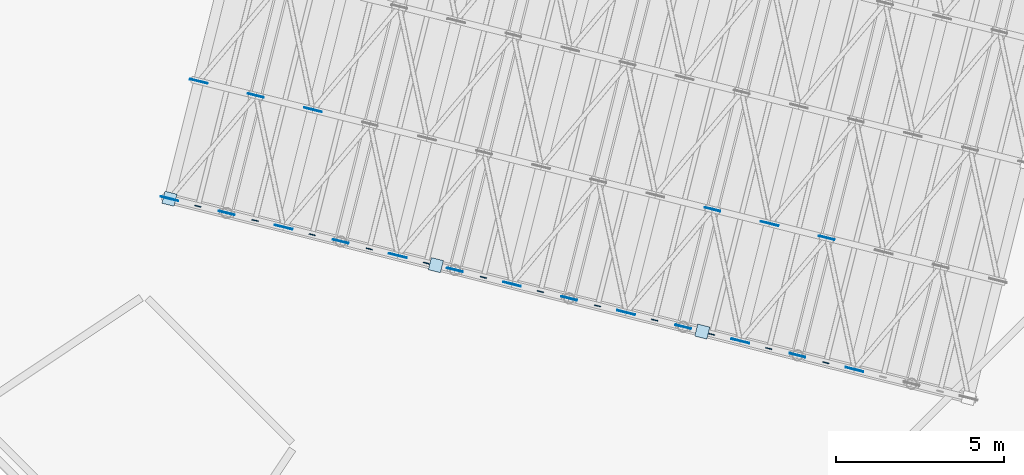
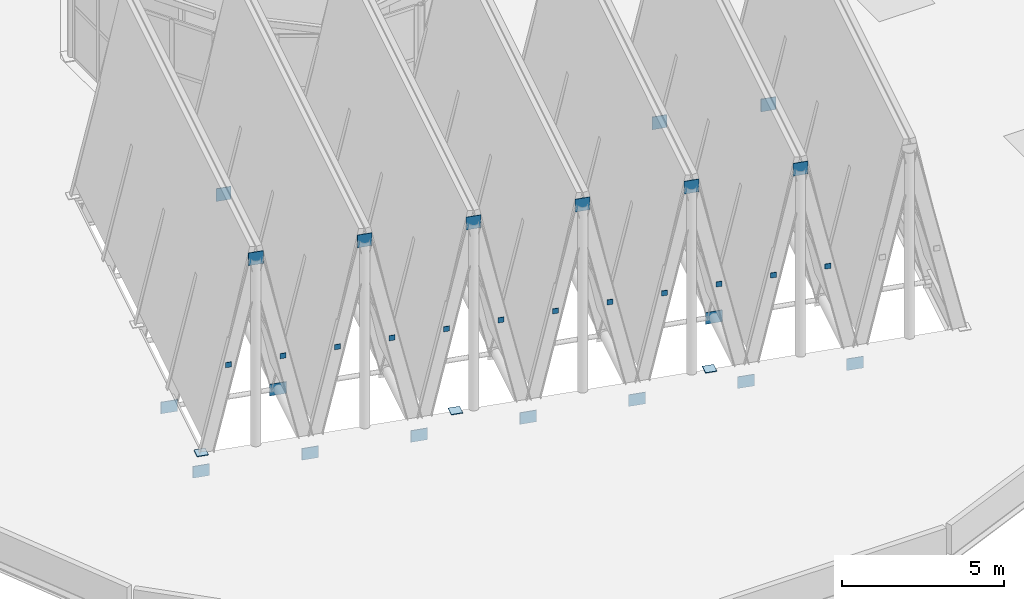
# One storey, part 27 of 51: 34 plates.
"""IFC4 building model written with IfcOpenShell, lengths in metres."""

from ifc_helpers import new_model, si_unit, direction, frame, origin, origin_2d, place, context, subcontext, project, spatial, rectangle, extrude, material, layer, layer_set, type_object, element, save


model = new_model("IFC4")

# Units and contexts
model_context = context("Model", 3, precision=1e-05, world=origin(), true_north=direction((0.0, 1.0)))
body_context = subcontext(model_context, "Body", "Model", "MODEL_VIEW")
ifc_project = project(units=[si_unit("LENGTHUNIT", "METRE"), si_unit("AREAUNIT", "SQUARE_METRE"), si_unit("VOLUMEUNIT", "CUBIC_METRE"), si_unit("PLANEANGLEUNIT", "RADIAN"), si_unit("MASSUNIT", "GRAM", prefix="KILO")], contexts=[model_context])

# Site, building, storey
site_placement = place(None, origin())
site = spatial("IfcSite", under=ifc_project, at=site_placement, CompositionType="ELEMENT")
building_placement = place(site_placement, origin())
building = spatial("IfcBuilding", under=site, at=building_placement, Name="Wrenclough Park School", CompositionType="ELEMENT")
storey_placement = place(building_placement, frame((0.0, 0.0, 16.800048828125)))
storey = spatial("IfcBuildingStorey", under=building, at=storey_placement, Name="L04", CompositionType="ELEMENT", Elevation=16.800048828125)

# Plates
ifc_material = material(Name="Structural steel S355", Category="steel")
ifc_layer_1 = layer(ifc_material, 0.18994140625)
ifc_layer_set_1 = layer_set([ifc_layer_1], Name="Structural steel S355")
plate_type_1 = type_object("IfcPlateType", Name="STR-PL-EP150", PredefinedType="SHEET", material=ifc_layer_set_1)
for number, where, z_axis, x_axis, name in (
    (1, (143.618408203125, 20.155029296875, 3.066162109375), (0.0, 0.0, 1.0), (0.2419218956, 0.970295726276, 0.0), "D1 purlin 1L S welded sealing end-cap plate"),
    (2, (145.31640625, 19.731689453125, 3.066162109375), (0.0, 0.0, 1.0), (0.2419218956, 0.970295726276, 0.0), "D1 purlin 1R S welded sealing end-cap plate"),
    (3, (147.014404296875, 19.308349609375, 3.066162109375), (0.0, 0.0, 1.0), (0.2419218956, 0.970295726276, 0.0), "D1 purlin 2L S welded sealing end-cap plate"),
    (4, (148.71240234375, 18.885009765625, 3.066162109375), (0.0, 0.0, 1.0), (0.2419218956, 0.970295726276, 0.0), "D1 purlin 2R S welded sealing end-cap plate"),
    (5, (150.410400390625, 18.461669921875, 3.066162109375), (0.0, 0.0, 1.0), (0.2419218956, 0.970295726276, 0.0), "D1 purlin 3L S welded sealing end-cap plate"),
    (6, (152.1083984375, 18.0380859375, 3.066162109375), (0.0, 0.0, 1.0), (0.2419218956, 0.970295726276, 0.0), "D1 purlin 3R S welded sealing end-cap plate"),
    (7, (153.806396484375, 17.614990234375, 3.066162109375), (0.0, 0.0, 1.0), (0.2419218956, 0.970295726276, 0.0), "D1 purlin 4L S welded sealing end-cap plate"),
    (8, (155.50439453125, 17.19140625, 3.066162109375), (0.0, 0.0, 1.0), (0.2419218956, 0.970295726276, 0.0), "D1 purlin 4R S welded sealing end-cap plate"),
    (9, (157.202392578125, 16.76806640625, 3.066162109375), (0.0, 0.0, 1.0), (0.2419218956, 0.970295726276, 0.0), "D1 purlin 5L S welded sealing end-cap plate"),
    (10, (158.900390625, 16.3447265625, 3.066162109375), (0.0, 0.0, 1.0), (0.2419218956, 0.970295726276, 0.0), "D1 purlin 5R S welded sealing end-cap plate"),
    (11, (160.598388671875, 15.92138671875, 3.066162109375), (0.0, 0.0, 1.0), (0.2419218956, 0.970295726276, 0.0), "D1 purlin 6L S welded sealing end-cap plate"),
    (12, (162.29638671875, 15.498046875, 3.066162109375), (0.0, 0.0, 1.0), (0.2419218956, 0.970295726276, 0.0), "D1 purlin 6R S welded sealing end-cap plate"),
):
    element("IfcPlate", number, at=place(storey_placement, frame(where, z_axis=z_axis, x_axis=x_axis)), inside=storey, type_object=plate_type_1, Name=name, PredefinedType="SHEET", context=body_context, shape_type="SweptSolid", body=[
        extrude(rectangle(XDim=0.02197265625, YDim=0.18994140625, at=origin_2d()), origin(), (0.0, 0.0, 1.0), 0.18994140625),
    ])
ifc_layer_2 = layer(ifc_material, 0.02197265625)
ifc_layer_set_2 = layer_set([ifc_layer_2], Name="Structural steel S355")
plate_type_2 = type_object("IfcPlateType", Name="STR-PL-EP324", PredefinedType="SHEET", material=ifc_layer_set_2)
for number, where, z_axis, x_axis, name in (
    (13, (142.77197265625, 20.37744140625, 0.0), (0.0, 0.0, 1.0), (0.970295726276, -0.2419218956, 0.0), "Hollow steel column top sealing cap plate D1HR-0-0"),
    (14, (150.696044921875, 18.401611328125, 0.0), (0.0, 0.0, 1.0), (0.970295726276, -0.2419218956, 0.0), "Hollow steel column top sealing cap plate D1HR-1-0"),
    (15, (158.6201171875, 16.426025390625, 0.0), (0.0, 0.0, 1.0), (0.970295726276, -0.2419218956, 0.0), "Hollow steel column top sealing cap plate D1HR-2-0"),
):
    element("IfcPlate", number, at=place(storey_placement, frame(where, z_axis=z_axis, x_axis=x_axis)), inside=storey, type_object=plate_type_2, Name=name, PredefinedType="SHEET", context=body_context, shape_type="SweptSolid", body=[
        extrude(rectangle(XDim=0.3701171875, YDim=0.3701171875, at=origin_2d()), origin(), (0.0, 0.0, 1.0), 0.02197265625),
    ])
ifc_layer_3 = layer(ifc_material, 0.02490234375)
ifc_layer_set_3 = layer_set([ifc_layer_3], Name="Structural steel S355")
plate_type_3 = type_object("IfcPlateType", Name="STR-PL-KN1", PredefinedType="USERDEFINED", material=ifc_layer_set_3)
for number, where, z_axis, x_axis, name in (
    (16, (144.47021484375, 19.9541015625, 6.762451171875), (0.0, 0.0, 1.0), (0.970295726276, -0.2419218956, 0.0), "D1 ridge apex gusset plate 1.1"),
    (17, (145.341064453125, 23.447021484375, 6.762451171875), (0.0, 0.0, 1.0), (0.970295726276, -0.2419218956, 0.0), "D1 ridge apex gusset plate 1.2"),
    (18, (147.8662109375, 19.107421875, 6.762451171875), (0.0, 0.0, 1.0), (0.970295726276, -0.2419218956, 0.0), "D1 ridge apex gusset plate 2.1"),
    (19, (151.26220703125, 18.260498046875, 6.762451171875), (0.0, 0.0, 1.0), (0.970295726276, -0.2419218956, 0.0), "D1 ridge apex gusset plate 3.1"),
    (20, (154.658203125, 17.413818359375, 6.762451171875), (0.0, 0.0, 1.0), (0.970295726276, -0.2419218956, 0.0), "D1 ridge apex gusset plate 4.1"),
    (21, (158.05419921875, 16.567138671875, 6.762451171875), (0.0, 0.0, 1.0), (0.970295726276, -0.2419218956, 0.0), "D1 ridge apex gusset plate 5.1"),
    (22, (158.925048828125, 20.060302734375, 6.762451171875), (0.0, 0.0, 1.0), (0.970295726276, -0.2419218956, 0.0), "D1 ridge apex gusset plate 5.2"),
    (23, (161.4501953125, 15.720458984375, 6.762451171875), (0.0, 0.0, 1.0), (0.970295726276, -0.2419218956, 0.0), "D1 ridge apex gusset plate 6.1"),
    (24, (162.3212890625, 19.21337890625, 6.762451171875), (0.0, 0.0, 1.0), (0.970295726276, -0.2419218956, 0.0), "D1 ridge apex gusset plate 6.2"),
):
    element("IfcPlate", number, at=place(storey_placement, frame(where, z_axis=z_axis, x_axis=x_axis)), inside=storey, type_object=plate_type_3, Name=name, ObjectType="GUSSET PLATE", PredefinedType="USERDEFINED", context=body_context, shape_type="SweptSolid", body=[
        extrude(rectangle(XDim=0.47998046875, YDim=0.02490234375, at=origin_2d()), origin(), (0.0, 0.0, 1.0), 0.47998046875),
    ])
ifc_layer_4 = layer(ifc_material, 0.02490234375)
ifc_layer_set_4 = layer_set([ifc_layer_4], Name="Structural steel S355")
plate_type_4 = type_object("IfcPlateType", Name="STR-PL-KN2", PredefinedType="USERDEFINED", material=ifc_layer_set_4)
for number, where, z_axis, x_axis, name in (
    (25, (142.77197265625, 20.37744140625, -0.900146484375), (0.0, 0.0, 1.0), (0.970295726276, -0.2419218956, 0.0), "D1 valley node gusset plate 1.1"),
    (26, (143.64306640625, 23.87060546875, -0.900146484375), (0.0, 0.0, 1.0), (0.970295726276, -0.2419218956, 0.0), "D1 valley node gusset plate 1.2"),
    (27, (146.168212890625, 19.53076171875, -0.900146484375), (0.0, 0.0, 1.0), (0.970295726276, -0.2419218956, 0.0), "D1 valley node gusset plate 2.1"),
    (28, (147.0390625, 23.023681640625, -0.900146484375), (0.0, 0.0, 1.0), (0.970295726276, -0.2419218956, 0.0), "D1 valley node gusset plate 2.2"),
    (29, (149.564208984375, 18.68408203125, -0.900146484375), (0.0, 0.0, 1.0), (0.970295726276, -0.2419218956, 0.0), "D1 valley node gusset plate 3.1"),
    (30, (152.960205078125, 17.837158203125, -0.900146484375), (0.0, 0.0, 1.0), (0.970295726276, -0.2419218956, 0.0), "D1 valley node gusset plate 4.1"),
    (31, (156.356201171875, 16.990478515625, -0.900146484375), (0.0, 0.0, 1.0), (0.970295726276, -0.2419218956, 0.0), "D1 valley node gusset plate 5.1"),
    (32, (159.752197265625, 16.143798828125, -0.900146484375), (0.0, 0.0, 1.0), (0.970295726276, -0.2419218956, 0.0), "D1 valley node gusset plate 6.1"),
    (33, (160.623046875, 19.63671875, -0.900146484375), (0.0, 0.0, 1.0), (0.970295726276, -0.2419218956, 0.0), "D1 valley node gusset plate 6.2"),
    (34, (163.148193359375, 15.297119140625, -0.900146484375), (0.0, 0.0, 1.0), (0.970295726276, -0.2419218956, 0.0), "D1 valley node gusset plate 7.1"),
):
    element("IfcPlate", number, at=place(storey_placement, frame(where, z_axis=z_axis, x_axis=x_axis)), inside=storey, type_object=plate_type_4, Name=name, ObjectType="GUSSET PLATE", PredefinedType="USERDEFINED", context=body_context, shape_type="SweptSolid", body=[
        extrude(rectangle(XDim=0.5400390625, YDim=0.02490234375, at=origin_2d()), origin(), (0.0, 0.0, 1.0), 0.43994140625),
    ])

save(model, "model.ifc")
